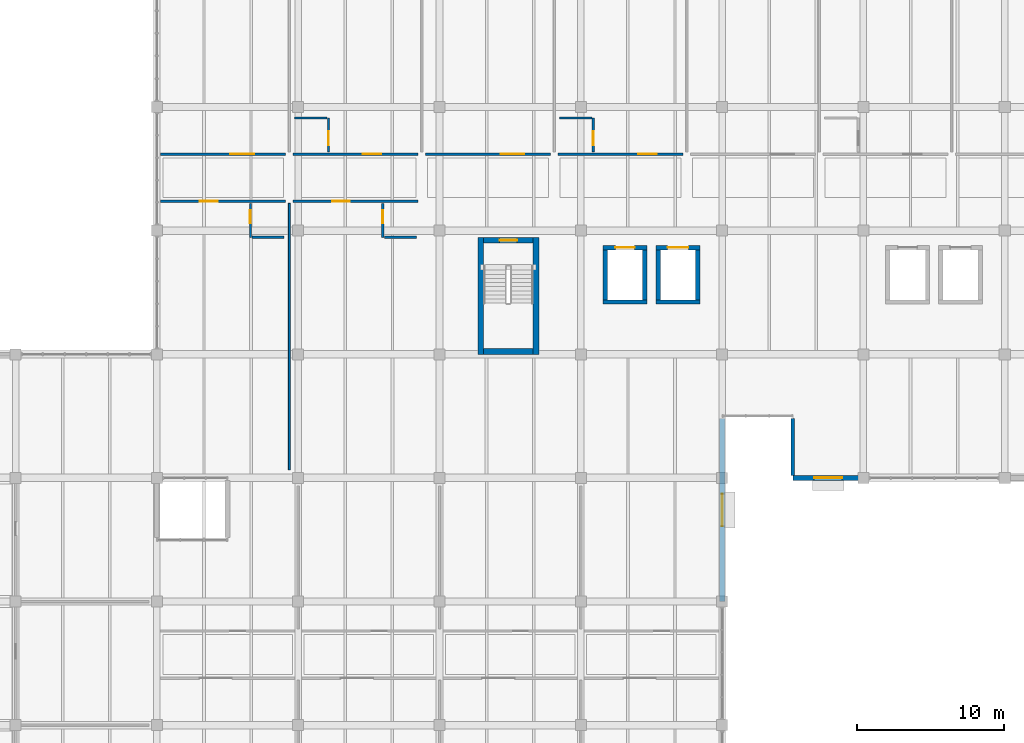
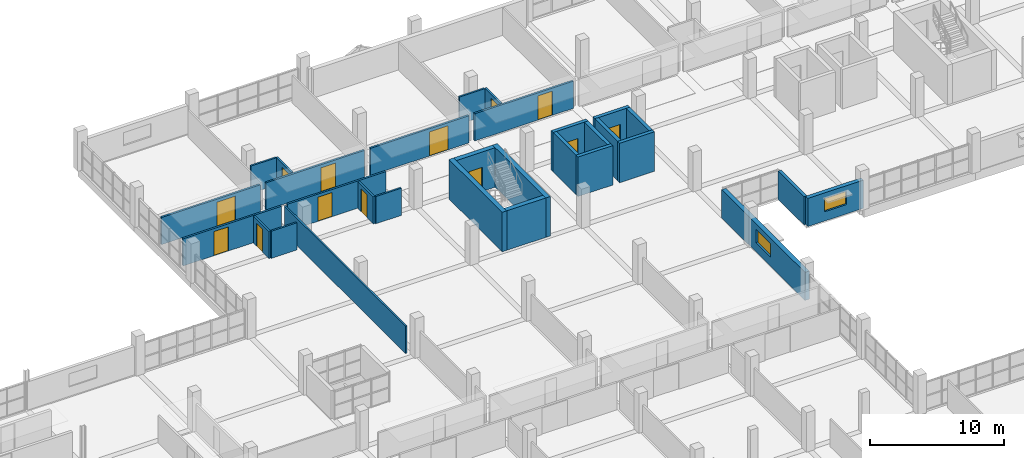
# One storey, part 130 of 147: 30 walls, 13 doors, 2 windows, 15 openings.
"""IFC4 building model written with IfcOpenShell, lengths in metres."""

from ifc_helpers import new_model, si_unit, direction, frame, frame_2d, origin, place, context, subcontext, project, spatial, rectangle, extrude, material, layer, layer_set, type_object, element, fill, save


model = new_model("IFC4")

# Units and contexts
model_context = context("Model", 3, precision=1e-05, world=origin(), true_north=direction((0.0, 1.0)))
body_context = subcontext(model_context, "Body", "Model", "MODEL_VIEW")
ifc_project = project(units=[si_unit("LENGTHUNIT", "METRE"), si_unit("AREAUNIT", "SQUARE_METRE"), si_unit("VOLUMEUNIT", "CUBIC_METRE"), si_unit("PLANEANGLEUNIT", "RADIAN"), si_unit("MASSUNIT", "GRAM", prefix="KILO")], contexts=[model_context])

# Site, building, storey
site_placement = place(None, origin())
site = spatial("IfcSite", under=ifc_project, at=site_placement, CompositionType="ELEMENT")
building_placement = place(site_placement, origin())
building = spatial("IfcBuilding", under=site, at=building_placement, Name="Oolite Switchyard Hospital", CompositionType="ELEMENT")
storey_placement = place(building_placement, frame((0.0, 0.0, 9.89990234375)))
storey = spatial("IfcBuildingStorey", under=building, at=storey_placement, Name="L02", CompositionType="ELEMENT", Elevation=9.89990234375)

# Wall
ifc_material_1 = material(Name="Precast oolitic limestone architectural concrete C40/50", Category="masonry")
ifc_layer_1 = layer(ifc_material_1, 0.260009765625)
ifc_layer_set_1 = layer_set([ifc_layer_1], Name="WAL-EXT-260")
wall_type_1 = type_object("IfcWallType", Name="WAL-EXT-260", PredefinedType="SOLIDWALL", material=ifc_layer_set_1)
wall_1_placement = place(storey_placement, frame((177.60009765625, 100.9599609375, 0.0), z_axis=(0.0, 0.0, 1.0), x_axis=(0.0, 1.0, 0.0)))
element("IfcWall", 1, at=wall_1_placement, inside=storey, type_object=wall_type_1, Name="L02 Exterior Spandrel Wall 166", PredefinedType="SOLIDWALL", context=body_context, shape_type="SweptSolid", body=[
    extrude(rectangle(XDim=3.880126953125, YDim=0.260009765625, at=frame_2d((1.93994140625, 0.0))), origin(), (0.0, 0.0, 1.0), 2.570068359375),
])

# Wall, opening, window
ifc_layer_2 = layer(ifc_material_1, 0.340087890625)
ifc_layer_set_2 = layer_set([ifc_layer_2], Name="WAL-EXT-340")
wall_type_2 = type_object("IfcWallType", Name="WAL-EXT-340", PredefinedType="SOLIDWALL", material=ifc_layer_set_2)
wall_2_placement = place(storey_placement, frame((182.39990234375, 100.800048828125, 0.0), z_axis=(0.0, 0.0, 1.0), x_axis=(-1.0, 0.0, 0.0)))
wall_2 = element("IfcWall", 2, at=wall_2_placement, inside=storey, type_object=wall_type_2, Name="L02 Exterior Spandrel Wall 135", PredefinedType="SOLIDWALL", context=body_context, shape_type="SweptSolid", body=[
    extrude(rectangle(XDim=4.7998046875, YDim=0.340087890625, at=frame_2d((2.39990234375, 0.0))), origin(), (0.0, 0.0, 1.0), 2.570068359375),
])
opening_1_placement = place(wall_2_placement, frame((1.449951171875, 0.0, 0.85009765625)))
opening_1 = element("IfcOpeningElement", 3, at=opening_1_placement, cuts=wall_2, Name="Opening WN-0052", PredefinedType="OPENING", context=body_context, shape_type="SweptSolid", body=[
    extrude(rectangle(XDim=1.89990234375, YDim=1.199951171875, at=frame_2d((0.949951171875, 0.60009765625))), frame((0.0, 0.18017578125, 0.0), z_axis=(0.0, -1.0, 0.0), x_axis=(1.0, 0.0, 0.0)), (0.0, 0.0, 1.0), 0.360107421875),
])
ifc_material_2 = material(Name="Thermally broken aluminum frame with laminated impact glazing", Category="aluminium")
window_type_1 = type_object("IfcWindowType", Name="WIN-IMP-190X120", PartitioningType="SINGLE_PANEL", PredefinedType="WINDOW", material=ifc_material_2)
window_1_placement = place(opening_1_placement, origin())
window_1 = element("IfcWindow", 4, at=window_1_placement, inside=storey, type_object=window_type_1, Name="L02 Hurricane Impact Window WN-0052", OverallHeight=1.199951171875, OverallWidth=1.89990234375, PartitioningType="SINGLE_PANEL", PredefinedType="WINDOW", context=body_context, shape_type="SweptSolid", body=[
    extrude(rectangle(XDim=1.89990234375, YDim=1.199951171875, at=frame_2d((0.949951171875, 0.60009765625))), frame((0.0, 0.030029296875, 0.0), z_axis=(0.0, -1.0, 0.0), x_axis=(1.0, 0.0, 0.0)), (0.0, 0.0, 1.0), 0.06005859375),
])
fill(opening_1, window_1)

ifc_layer_3 = layer(ifc_material_1, 0.3798828125)
ifc_layer_set_3 = layer_set([ifc_layer_3], Name="WAL-EXT-380")
wall_type_3 = type_object("IfcWallType", Name="WAL-EXT-380", PredefinedType="SOLIDWALL", material=ifc_layer_set_3)
wall_3_placement = place(storey_placement, frame((172.800048828125, 104.840087890625, 0.0), z_axis=(0.0, 0.0, 1.0), x_axis=(0.0, -1.0, 0.0)))
wall_3 = element("IfcWall", 5, at=wall_3_placement, inside=storey, type_object=wall_type_3, Name="L02 Exterior Spandrel Wall 165", PredefinedType="SOLIDWALL", context=body_context, shape_type="SweptSolid", body=[
    extrude(rectangle(XDim=12.440185546875, YDim=0.3798828125, at=frame_2d((6.22021484375, 0.0))), origin(), (0.0, 0.0, 1.0), 2.570068359375),
])
opening_2_placement = place(wall_3_placement, frame((5.1201171875, 0.0, 0.85009765625)))
opening_2 = element("IfcOpeningElement", 6, at=opening_2_placement, cuts=wall_3, Name="Opening WN-0062", PredefinedType="OPENING", context=body_context, shape_type="SweptSolid", body=[
    extrude(rectangle(XDim=2.199951171875, YDim=1.199951171875, at=frame_2d((1.10009765625, 0.60009765625))), frame((0.0, 0.199951171875, 0.0), z_axis=(0.0, -1.0, 0.0), x_axis=(1.0, 0.0, 0.0)), (0.0, 0.0, 1.0), 0.39990234375),
])
window_type_2 = type_object("IfcWindowType", Name="WIN-IMP-220X120", PartitioningType="SINGLE_PANEL", PredefinedType="WINDOW", material=ifc_material_2)
window_2_placement = place(opening_2_placement, origin())
window_2 = element("IfcWindow", 7, at=window_2_placement, inside=storey, type_object=window_type_2, Name="L02 Hurricane Impact Window WN-0062", OverallHeight=1.199951171875, OverallWidth=2.199951171875, PartitioningType="SINGLE_PANEL", PredefinedType="WINDOW", context=body_context, shape_type="SweptSolid", body=[
    extrude(rectangle(XDim=2.199951171875, YDim=1.199951171875, at=frame_2d((1.10009765625, 0.60009765625))), frame((0.0, 0.030029296875, 0.0), z_axis=(0.0, -1.0, 0.0), x_axis=(1.0, 0.0, 0.0)), (0.0, 0.0, 1.0), 0.06005859375),
])
fill(opening_2, window_2)

# Wall
ifc_material_3 = material(Name="Moisture-resistant gypsum board on steel studs", Category="steel")
ifc_layer_4 = layer(ifc_material_3, 0.135009765625)
ifc_layer_set_4 = layer_set([ifc_layer_4], Name="WAL-PART-135")
wall_type_4 = type_object("IfcWallType", Name="WAL-PART-135", PredefinedType="PARTITIONING", material=ifc_layer_set_4)
wall_4_placement = place(storey_placement, frame((143.39990234375, 101.35009765625, 0.0), z_axis=(0.0, 0.0, 1.0), x_axis=(0.0, 1.0, 0.0)))
element("IfcWall", 8, at=wall_4_placement, inside=storey, type_object=wall_type_4, Name="L02 Interior Partition 527", PredefinedType="PARTITIONING", context=body_context, shape_type="SweptSolid", body=[
    extrude(rectangle(XDim=18.099853515625, YDim=0.135009765625, at=frame_2d((9.0498046875, 0.0))), origin(), (0.0, 0.0, 1.0), 2.47998046875),
])

# Wall, opening, door
ifc_layer_5 = layer(ifc_material_3, 0.14990234375)
ifc_layer_set_5 = layer_set([ifc_layer_5], Name="WAL-PART-150")
wall_type_5 = type_object("IfcWallType", Name="WAL-PART-150", PredefinedType="PARTITIONING", material=ifc_layer_set_5)
wall_5_placement = place(storey_placement, frame((140.75, 117.14990234375, 0.0), z_axis=(0.0, 0.0, 1.0), x_axis=(0.0, 1.0, 0.0)))
wall_5 = element("IfcWall", 9, at=wall_5_placement, inside=storey, type_object=wall_type_5, Name="L02 Interior Partition 521", PredefinedType="PARTITIONING", context=body_context, shape_type="SweptSolid", body=[
    extrude(rectangle(XDim=2.300048828125, YDim=0.14990234375, at=frame_2d((1.14990234375, 0.0))), origin(), (0.0, 0.0, 1.0), 2.47998046875),
])
opening_3_placement = place(wall_5_placement, frame((0.949951171875, 0.0, 0.0)))
opening_3 = element("IfcOpeningElement", 10, at=opening_3_placement, cuts=wall_5, Name="Opening D-0294", PredefinedType="OPENING", context=body_context, shape_type="SweptSolid", body=[
    extrude(rectangle(XDim=0.89990234375, YDim=2.10009765625, at=frame_2d((0.449951171875, 1.050048828125))), frame((0.0, 0.0849609375, 0.0), z_axis=(0.0, -1.0, 0.0), x_axis=(1.0, 0.0, 0.0)), (0.0, 0.0, 1.0), 0.169921875),
])
ifc_material_4 = material(Name="Solid-core antimicrobial hardwood leaf in steel frame", Category="steel")
door_type_1 = type_object("IfcDoorType", Name="DR-BATH-090X210", OperationType="NOTDEFINED", PredefinedType="DOOR", material=ifc_material_4)
door_1_placement = place(opening_3_placement, origin())
door_1 = element("IfcDoor", 11, at=door_1_placement, inside=storey, type_object=door_type_1, Name="L02 Interior Door D-0294", OperationType="SINGLE_SWING_RIGHT", OverallHeight=2.10009765625, OverallWidth=0.89990234375, PredefinedType="DOOR", context=body_context, shape_type="SweptSolid", body=[
    extrude(rectangle(XDim=0.89990234375, YDim=2.10009765625, at=frame_2d((0.449951171875, 1.050048828125))), frame((0.0, 0.02490234375, 0.0), z_axis=(0.0, -1.0, 0.0), x_axis=(1.0, 0.0, 0.0)), (0.0, 0.0, 1.0), 0.050048828125),
])
fill(opening_3, door_1)

# Wall
wall_6_placement = place(storey_placement, frame((140.85009765625, 117.14990234375, 0.0), z_axis=(0.0, 0.0, 1.0), x_axis=(1.0, 0.0, 0.0)))
element("IfcWall", 12, at=wall_6_placement, inside=storey, type_object=wall_type_5, Name="L02 Interior Partition 522", PredefinedType="PARTITIONING", context=body_context, shape_type="SweptSolid", body=[
    extrude(rectangle(XDim=2.199951171875, YDim=0.14990234375, at=frame_2d((1.10009765625, 0.0))), origin(), (0.0, 0.0, 1.0), 2.47998046875),
])

# Wall, opening, door
wall_7_placement = place(storey_placement, frame((149.75, 117.14990234375, 0.0), z_axis=(0.0, 0.0, 1.0), x_axis=(0.0, 1.0, 0.0)))
wall_7 = element("IfcWall", 13, at=wall_7_placement, inside=storey, type_object=wall_type_5, Name="L02 Interior Partition 525", PredefinedType="PARTITIONING", context=body_context, shape_type="SweptSolid", body=[
    extrude(rectangle(XDim=2.300048828125, YDim=0.14990234375, at=frame_2d((1.14990234375, 0.0))), origin(), (0.0, 0.0, 1.0), 2.47998046875),
])
opening_4_placement = place(wall_7_placement, frame((0.949951171875, 0.0, 0.0)))
opening_4 = element("IfcOpeningElement", 14, at=opening_4_placement, cuts=wall_7, Name="Opening D-0297", PredefinedType="OPENING", context=body_context, shape_type="SweptSolid", body=[
    extrude(rectangle(XDim=0.89990234375, YDim=2.10009765625, at=frame_2d((0.449951171875, 1.050048828125))), frame((0.0, 0.0849609375, 0.0), z_axis=(0.0, -1.0, 0.0), x_axis=(1.0, 0.0, 0.0)), (0.0, 0.0, 1.0), 0.169921875),
])
door_2_placement = place(opening_4_placement, origin())
door_2 = element("IfcDoor", 15, at=door_2_placement, inside=storey, type_object=door_type_1, Name="L02 Interior Door D-0297", OperationType="SINGLE_SWING_LEFT", OverallHeight=2.10009765625, OverallWidth=0.89990234375, PredefinedType="DOOR", context=body_context, shape_type="SweptSolid", body=[
    extrude(rectangle(XDim=0.89990234375, YDim=2.10009765625, at=frame_2d((0.449951171875, 1.050048828125))), frame((0.0, 0.02490234375, 0.0), z_axis=(0.0, -1.0, 0.0), x_axis=(1.0, 0.0, 0.0)), (0.0, 0.0, 1.0), 0.050048828125),
])
fill(opening_4, door_2)

# Wall
wall_8_placement = place(storey_placement, frame((149.85009765625, 117.14990234375, 0.0), z_axis=(0.0, 0.0, 1.0), x_axis=(1.0, 0.0, 0.0)))
element("IfcWall", 16, at=wall_8_placement, inside=storey, type_object=wall_type_5, Name="L02 Interior Partition 526", PredefinedType="PARTITIONING", context=body_context, shape_type="SweptSolid", body=[
    extrude(rectangle(XDim=2.199951171875, YDim=0.14990234375, at=frame_2d((1.10009765625, 0.0))), origin(), (0.0, 0.0, 1.0), 2.47998046875),
])

# Wall, opening, door
wall_9_placement = place(storey_placement, frame((146.050048828125, 122.949951171875, 0.0), z_axis=(0.0, 0.0, 1.0), x_axis=(0.0, 1.0, 0.0)))
wall_9 = element("IfcWall", 17, at=wall_9_placement, inside=storey, type_object=wall_type_5, Name="L02 Interior Partition 529", PredefinedType="PARTITIONING", context=body_context, shape_type="SweptSolid", body=[
    extrude(rectangle(XDim=2.300048828125, YDim=0.14990234375, at=frame_2d((1.14990234375, 0.0))), origin(), (0.0, 0.0, 1.0), 2.47998046875),
])
opening_5_placement = place(wall_9_placement, frame((0.449951171875, 0.0, 0.0)))
opening_5 = element("IfcOpeningElement", 18, at=opening_5_placement, cuts=wall_9, Name="Opening D-0299", PredefinedType="OPENING", context=body_context, shape_type="SweptSolid", body=[
    extrude(rectangle(XDim=0.949951171875, YDim=2.10009765625, at=frame_2d((0.47509765625, 1.050048828125))), frame((0.0, 0.0849609375, 0.0), z_axis=(0.0, -1.0, 0.0), x_axis=(1.0, 0.0, 0.0)), (0.0, 0.0, 1.0), 0.169921875),
])
door_type_2 = type_object("IfcDoorType", Name="DR-BATH-095X210", OperationType="NOTDEFINED", PredefinedType="DOOR", material=ifc_material_4)
door_3_placement = place(opening_5_placement, origin())
door_3 = element("IfcDoor", 19, at=door_3_placement, inside=storey, type_object=door_type_2, Name="L02 Interior Door D-0299", OperationType="SINGLE_SWING_RIGHT", OverallHeight=2.10009765625, OverallWidth=0.949951171875, PredefinedType="DOOR", context=body_context, shape_type="SweptSolid", body=[
    extrude(rectangle(XDim=0.949951171875, YDim=2.10009765625, at=frame_2d((0.47509765625, 1.050048828125))), frame((0.0, 0.02490234375, 0.0), z_axis=(0.0, -1.0, 0.0), x_axis=(1.0, 0.0, 0.0)), (0.0, 0.0, 1.0), 0.050048828125),
])
fill(opening_5, door_3)

# Wall
wall_10_placement = place(storey_placement, frame((143.75, 125.25, 0.0), z_axis=(0.0, 0.0, 1.0), x_axis=(1.0, 0.0, 0.0)))
element("IfcWall", 20, at=wall_10_placement, inside=storey, type_object=wall_type_5, Name="L02 Interior Partition 530", PredefinedType="PARTITIONING", context=body_context, shape_type="SweptSolid", body=[
    extrude(rectangle(XDim=2.199951171875, YDim=0.14990234375, at=frame_2d((1.10009765625, 0.0))), origin(), (0.0, 0.0, 1.0), 2.47998046875),
])

# Wall, opening, door
wall_11_placement = place(storey_placement, frame((164.050048828125, 122.949951171875, 0.0), z_axis=(0.0, 0.0, 1.0), x_axis=(0.0, 1.0, 0.0)))
wall_11 = element("IfcWall", 21, at=wall_11_placement, inside=storey, type_object=wall_type_5, Name="L02 Interior Partition 535", PredefinedType="PARTITIONING", context=body_context, shape_type="SweptSolid", body=[
    extrude(rectangle(XDim=2.300048828125, YDim=0.14990234375, at=frame_2d((1.14990234375, 0.0))), origin(), (0.0, 0.0, 1.0), 2.47998046875),
])
opening_6_placement = place(wall_11_placement, frame((0.449951171875, 0.0, 0.0)))
opening_6 = element("IfcOpeningElement", 22, at=opening_6_placement, cuts=wall_11, Name="Opening D-0302", PredefinedType="OPENING", context=body_context, shape_type="SweptSolid", body=[
    extrude(rectangle(XDim=0.949951171875, YDim=2.10009765625, at=frame_2d((0.47509765625, 1.050048828125))), frame((0.0, 0.0849609375, 0.0), z_axis=(0.0, -1.0, 0.0), x_axis=(1.0, 0.0, 0.0)), (0.0, 0.0, 1.0), 0.169921875),
])
door_4_placement = place(opening_6_placement, origin())
door_4 = element("IfcDoor", 23, at=door_4_placement, inside=storey, type_object=door_type_2, Name="L02 Interior Door D-0302", OperationType="SINGLE_SWING_RIGHT", OverallHeight=2.10009765625, OverallWidth=0.949951171875, PredefinedType="DOOR", context=body_context, shape_type="SweptSolid", body=[
    extrude(rectangle(XDim=0.949951171875, YDim=2.10009765625, at=frame_2d((0.47509765625, 1.050048828125))), frame((0.0, 0.02490234375, 0.0), z_axis=(0.0, -1.0, 0.0), x_axis=(1.0, 0.0, 0.0)), (0.0, 0.0, 1.0), 0.050048828125),
])
fill(opening_6, door_4)

# Wall
wall_12_placement = place(storey_placement, frame((161.75, 125.25, 0.0), z_axis=(0.0, 0.0, 1.0), x_axis=(1.0, 0.0, 0.0)))
element("IfcWall", 24, at=wall_12_placement, inside=storey, type_object=wall_type_5, Name="L02 Interior Partition 536", PredefinedType="PARTITIONING", context=body_context, shape_type="SweptSolid", body=[
    extrude(rectangle(XDim=2.199951171875, YDim=0.14990234375, at=frame_2d((1.10009765625, 0.0))), origin(), (0.0, 0.0, 1.0), 2.47998046875),
])

# Wall, opening, door
ifc_layer_6 = layer(ifc_material_3, 0.1650390625)
ifc_layer_set_6 = layer_set([ifc_layer_6], Name="WAL-PART-165")
wall_type_6 = type_object("IfcWallType", Name="WAL-PART-165", PredefinedType="PARTITIONING", material=ifc_layer_set_6)
wall_13_placement = place(storey_placement, frame((134.64990234375, 119.60009765625, 0.0), z_axis=(0.0, 0.0, 1.0), x_axis=(1.0, 0.0, 0.0)))
wall_13 = element("IfcWall", 25, at=wall_13_placement, inside=storey, type_object=wall_type_6, Name="L02 Interior Partition 520", PredefinedType="PARTITIONING", context=body_context, shape_type="SweptSolid", body=[
    extrude(rectangle(XDim=8.5, YDim=0.1650390625, at=frame_2d((4.25, 0.0))), origin(), (0.0, 0.0, 1.0), 2.47998046875),
])
opening_7_placement = place(wall_13_placement, frame((2.64990234375, 0.0, 0.0)))
opening_7 = element("IfcOpeningElement", 26, at=opening_7_placement, cuts=wall_13, Name="Opening D-0293", PredefinedType="OPENING", context=body_context, shape_type="SweptSolid", body=[
    extrude(rectangle(XDim=1.25, YDim=2.199951171875, at=frame_2d((0.625, 1.10009765625))), frame((0.0, 0.092529296875, 0.0), z_axis=(0.0, -1.0, 0.0), x_axis=(1.0, 0.0, 0.0)), (0.0, 0.0, 1.0), 0.18505859375),
])
door_type_3 = type_object("IfcDoorType", Name="DR-WARD-125X220", OperationType="NOTDEFINED", PredefinedType="DOOR", material=ifc_material_4)
door_5_placement = place(opening_7_placement, origin())
door_5 = element("IfcDoor", 27, at=door_5_placement, inside=storey, type_object=door_type_3, Name="L02 Interior Door D-0293", OperationType="SINGLE_SWING_LEFT", OverallHeight=2.199951171875, OverallWidth=1.25, PredefinedType="DOOR", context=body_context, shape_type="SweptSolid", body=[
    extrude(rectangle(XDim=1.25, YDim=2.199951171875, at=frame_2d((0.625, 1.10009765625))), frame((0.0, 0.02490234375, 0.0), z_axis=(0.0, -1.0, 0.0), x_axis=(1.0, 0.0, 0.0)), (0.0, 0.0, 1.0), 0.050048828125),
])
fill(opening_7, door_5)

wall_14_placement = place(storey_placement, frame((134.64990234375, 122.800048828125, 0.0), z_axis=(0.0, 0.0, 1.0), x_axis=(1.0, 0.0, 0.0)))
wall_14 = element("IfcWall", 28, at=wall_14_placement, inside=storey, type_object=wall_type_6, Name="L02 Interior Partition 523", PredefinedType="PARTITIONING", context=body_context, shape_type="SweptSolid", body=[
    extrude(rectangle(XDim=8.5, YDim=0.1650390625, at=frame_2d((4.25, 0.0))), origin(), (0.0, 0.0, 1.0), 2.47998046875),
])
opening_8_placement = place(wall_14_placement, frame((4.75, 0.0, 0.0)))
opening_8 = element("IfcOpeningElement", 29, at=opening_8_placement, cuts=wall_14, Name="Opening D-0295", PredefinedType="OPENING", context=body_context, shape_type="SweptSolid", body=[
    extrude(rectangle(XDim=1.60009765625, YDim=2.199951171875, at=frame_2d((0.800048828125, 1.10009765625))), frame((0.0, 0.092529296875, 0.0), z_axis=(0.0, -1.0, 0.0), x_axis=(1.0, 0.0, 0.0)), (0.0, 0.0, 1.0), 0.18505859375),
])
ifc_material_5 = material(Name="Hollow metal fire-rated steel door assembly", Category="steel")
door_type_4 = type_object("IfcDoorType", Name="DR-DBL-160X220", OperationType="NOTDEFINED", PredefinedType="DOOR", material=ifc_material_5)
door_6_placement = place(opening_8_placement, origin())
door_6 = element("IfcDoor", 30, at=door_6_placement, inside=storey, type_object=door_type_4, Name="L02 Interior Door D-0295", OperationType="DOUBLE_DOOR_SINGLE_SWING", OverallHeight=2.199951171875, OverallWidth=1.60009765625, PredefinedType="DOOR", context=body_context, shape_type="SweptSolid", body=[
    extrude(rectangle(XDim=1.60009765625, YDim=2.199951171875, at=frame_2d((0.800048828125, 1.10009765625))), frame((0.0, 0.02490234375, 0.0), z_axis=(0.0, -1.0, 0.0), x_axis=(1.0, 0.0, 0.0)), (0.0, 0.0, 1.0), 0.050048828125),
])
fill(opening_8, door_6)

wall_15_placement = place(storey_placement, frame((143.64990234375, 119.60009765625, 0.0), z_axis=(0.0, 0.0, 1.0), x_axis=(1.0, 0.0, 0.0)))
wall_15 = element("IfcWall", 31, at=wall_15_placement, inside=storey, type_object=wall_type_6, Name="L02 Interior Partition 524", PredefinedType="PARTITIONING", context=body_context, shape_type="SweptSolid", body=[
    extrude(rectangle(XDim=8.5, YDim=0.1650390625, at=frame_2d((4.25, 0.0))), origin(), (0.0, 0.0, 1.0), 2.47998046875),
])
opening_9_placement = place(wall_15_placement, frame((2.64990234375, 0.0, 0.0)))
opening_9 = element("IfcOpeningElement", 32, at=opening_9_placement, cuts=wall_15, Name="Opening D-0296", PredefinedType="OPENING", context=body_context, shape_type="SweptSolid", body=[
    extrude(rectangle(XDim=1.199951171875, YDim=2.199951171875, at=frame_2d((0.60009765625, 1.10009765625))), frame((0.0, 0.092529296875, 0.0), z_axis=(0.0, -1.0, 0.0), x_axis=(1.0, 0.0, 0.0)), (0.0, 0.0, 1.0), 0.18505859375),
])
door_type_5 = type_object("IfcDoorType", Name="DR-WARD-120X220", OperationType="NOTDEFINED", PredefinedType="DOOR", material=ifc_material_4)
door_7_placement = place(opening_9_placement, origin())
door_7 = element("IfcDoor", 33, at=door_7_placement, inside=storey, type_object=door_type_5, Name="L02 Interior Door D-0296", OperationType="SINGLE_SWING_RIGHT", OverallHeight=2.199951171875, OverallWidth=1.199951171875, PredefinedType="DOOR", context=body_context, shape_type="SweptSolid", body=[
    extrude(rectangle(XDim=1.199951171875, YDim=2.199951171875, at=frame_2d((0.60009765625, 1.10009765625))), frame((0.0, 0.02490234375, 0.0), z_axis=(0.0, -1.0, 0.0), x_axis=(1.0, 0.0, 0.0)), (0.0, 0.0, 1.0), 0.050048828125),
])
fill(opening_9, door_7)

wall_16_placement = place(storey_placement, frame((143.64990234375, 122.800048828125, 0.0), z_axis=(0.0, 0.0, 1.0), x_axis=(1.0, 0.0, 0.0)))
wall_16 = element("IfcWall", 34, at=wall_16_placement, inside=storey, type_object=wall_type_6, Name="L02 Interior Partition 528", PredefinedType="PARTITIONING", context=body_context, shape_type="SweptSolid", body=[
    extrude(rectangle(XDim=8.5, YDim=0.1650390625, at=frame_2d((4.25, 0.0))), origin(), (0.0, 0.0, 1.0), 2.47998046875),
])
opening_10_placement = place(wall_16_placement, frame((4.75, 0.0, 0.0)))
opening_10 = element("IfcOpeningElement", 35, at=opening_10_placement, cuts=wall_16, Name="Opening D-0298", PredefinedType="OPENING", context=body_context, shape_type="SweptSolid", body=[
    extrude(rectangle(XDim=1.25, YDim=2.199951171875, at=frame_2d((0.625, 1.10009765625))), frame((0.0, 0.092529296875, 0.0), z_axis=(0.0, -1.0, 0.0), x_axis=(1.0, 0.0, 0.0)), (0.0, 0.0, 1.0), 0.18505859375),
])
door_8_placement = place(opening_10_placement, origin())
door_8 = element("IfcDoor", 36, at=door_8_placement, inside=storey, type_object=door_type_3, Name="L02 Interior Door D-0298", OperationType="SINGLE_SWING_LEFT", OverallHeight=2.199951171875, OverallWidth=1.25, PredefinedType="DOOR", context=body_context, shape_type="SweptSolid", body=[
    extrude(rectangle(XDim=1.25, YDim=2.199951171875, at=frame_2d((0.625, 1.10009765625))), frame((0.0, 0.02490234375, 0.0), z_axis=(0.0, -1.0, 0.0), x_axis=(1.0, 0.0, 0.0)), (0.0, 0.0, 1.0), 0.050048828125),
])
fill(opening_10, door_8)

wall_17_placement = place(storey_placement, frame((152.64990234375, 122.800048828125, 0.0), z_axis=(0.0, 0.0, 1.0), x_axis=(1.0, 0.0, 0.0)))
wall_17 = element("IfcWall", 37, at=wall_17_placement, inside=storey, type_object=wall_type_6, Name="L02 Interior Partition 532", PredefinedType="PARTITIONING", context=body_context, shape_type="SweptSolid", body=[
    extrude(rectangle(XDim=8.5, YDim=0.1650390625, at=frame_2d((4.25, 0.0))), origin(), (0.0, 0.0, 1.0), 2.47998046875),
])
opening_11_placement = place(wall_17_placement, frame((5.10009765625, 0.0, 0.0)))
opening_11 = element("IfcOpeningElement", 38, at=opening_11_placement, cuts=wall_17, Name="Opening D-0300", PredefinedType="OPENING", context=body_context, shape_type="SweptSolid", body=[
    extrude(rectangle(XDim=1.60009765625, YDim=2.199951171875, at=frame_2d((0.800048828125, 1.10009765625))), frame((0.0, 0.092529296875, 0.0), z_axis=(0.0, -1.0, 0.0), x_axis=(1.0, 0.0, 0.0)), (0.0, 0.0, 1.0), 0.18505859375),
])
door_9_placement = place(opening_11_placement, origin())
door_9 = element("IfcDoor", 39, at=door_9_placement, inside=storey, type_object=door_type_4, Name="L02 Interior Door D-0300", OperationType="DOUBLE_DOOR_SINGLE_SWING", OverallHeight=2.199951171875, OverallWidth=1.60009765625, PredefinedType="DOOR", context=body_context, shape_type="SweptSolid", body=[
    extrude(rectangle(XDim=1.60009765625, YDim=2.199951171875, at=frame_2d((0.800048828125, 1.10009765625))), frame((0.0, 0.02490234375, 0.0), z_axis=(0.0, -1.0, 0.0), x_axis=(1.0, 0.0, 0.0)), (0.0, 0.0, 1.0), 0.050048828125),
])
fill(opening_11, door_9)

wall_18_placement = place(storey_placement, frame((161.64990234375, 122.800048828125, 0.0), z_axis=(0.0, 0.0, 1.0), x_axis=(1.0, 0.0, 0.0)))
wall_18 = element("IfcWall", 40, at=wall_18_placement, inside=storey, type_object=wall_type_6, Name="L02 Interior Partition 534", PredefinedType="PARTITIONING", context=body_context, shape_type="SweptSolid", body=[
    extrude(rectangle(XDim=8.5, YDim=0.1650390625, at=frame_2d((4.25, 0.0))), origin(), (0.0, 0.0, 1.0), 2.47998046875),
])
opening_12_placement = place(wall_18_placement, frame((5.449951171875, 0.0, 0.0)))
opening_12 = element("IfcOpeningElement", 41, at=opening_12_placement, cuts=wall_18, Name="Opening D-0301", PredefinedType="OPENING", context=body_context, shape_type="SweptSolid", body=[
    extrude(rectangle(XDim=1.25, YDim=2.199951171875, at=frame_2d((0.625, 1.10009765625))), frame((0.0, 0.092529296875, 0.0), z_axis=(0.0, -1.0, 0.0), x_axis=(1.0, 0.0, 0.0)), (0.0, 0.0, 1.0), 0.18505859375),
])
door_10_placement = place(opening_12_placement, origin())
door_10 = element("IfcDoor", 42, at=door_10_placement, inside=storey, type_object=door_type_3, Name="L02 Interior Door D-0301", OperationType="SINGLE_SWING_LEFT", OverallHeight=2.199951171875, OverallWidth=1.25, PredefinedType="DOOR", context=body_context, shape_type="SweptSolid", body=[
    extrude(rectangle(XDim=1.25, YDim=2.199951171875, at=frame_2d((0.625, 1.10009765625))), frame((0.0, 0.02490234375, 0.0), z_axis=(0.0, -1.0, 0.0), x_axis=(1.0, 0.0, 0.0)), (0.0, 0.0, 1.0), 0.050048828125),
])
fill(opening_12, door_10)

# Walls
ifc_material_6 = material(Name="Concrete C50/60", Category="concrete")
ifc_layer_7 = layer(ifc_material_6, 0.300048828125)
ifc_layer_set_7 = layer_set([ifc_layer_7], Name="WAL-SHR-300")
wall_type_7 = type_object("IfcWallType", Name="WAL-SHR-300", PredefinedType="SHEAR", material=ifc_layer_set_7)
wall_19_placement = place(storey_placement, frame((164.699951171875, 112.75, 0.0), z_axis=(0.0, 0.0, 1.0), x_axis=(1.0, 0.0, 0.0)))
element("IfcWall", 43, at=wall_19_placement, inside=storey, type_object=wall_type_7, Name="L02 Lift Shaft Shear Wall EL-01", PredefinedType="SHEAR", context=body_context, shape_type="SweptSolid", body=[
    extrude(rectangle(XDim=3.0, YDim=0.300048828125, at=frame_2d((1.5, 0.0))), origin(), (0.0, 0.0, 1.0), 3.60009765625),
])
wall_20_placement = place(storey_placement, frame((167.550048828125, 112.89990234375, 0.0), z_axis=(0.0, 0.0, 1.0), x_axis=(0.0, 1.0, 0.0)))
element("IfcWall", 44, at=wall_20_placement, inside=storey, type_object=wall_type_7, Name="L02 Lift Shaft Shear Wall EL-01", PredefinedType="SHEAR", context=body_context, shape_type="SweptSolid", body=[
    extrude(rectangle(XDim=3.400146484375, YDim=0.300048828125, at=frame_2d((1.7001953125, 0.0))), origin(), (0.0, 0.0, 1.0), 3.60009765625),
])

# Wall, opening, door
wall_21_placement = place(storey_placement, frame((167.699951171875, 116.449951171875, 0.0), z_axis=(0.0, 0.0, 1.0), x_axis=(-1.0, 0.0, 0.0)))
wall_21 = element("IfcWall", 45, at=wall_21_placement, inside=storey, type_object=wall_type_7, Name="L02 Lift Shaft Shear Wall EL-01", PredefinedType="SHEAR", context=body_context, shape_type="SweptSolid", body=[
    extrude(rectangle(XDim=3.0, YDim=0.300048828125, at=frame_2d((1.5, 0.0))), origin(), (0.0, 0.0, 1.0), 3.60009765625),
])
opening_13_placement = place(wall_21_placement, frame((0.85009765625, 0.0, 0.0)))
opening_13 = element("IfcOpeningElement", 46, at=opening_13_placement, cuts=wall_21, Name="Opening LD-003", PredefinedType="OPENING", context=body_context, shape_type="SweptSolid", body=[
    extrude(rectangle(XDim=1.300048828125, YDim=2.300048828125, at=frame_2d((0.64990234375, 1.14990234375))), frame((0.0, 0.16015625, 0.0), z_axis=(0.0, -1.0, 0.0), x_axis=(1.0, 0.0, 0.0)), (0.0, 0.0, 1.0), 0.320068359375),
])
ifc_material_7 = material(Name="Brushed stainless steel fire-rated sliding landing door", Category="steel")
door_type_6 = type_object("IfcDoorType", Name="DR-LD-130X230", OperationType="NOTDEFINED", PredefinedType="DOOR", material=ifc_material_7)
door_11_placement = place(opening_13_placement, origin())
door_11 = element("IfcDoor", 47, at=door_11_placement, inside=storey, type_object=door_type_6, Name="L02 EL-01 Lift Landing Door LD-003", OperationType="SLIDING_TO_LEFT", OverallHeight=2.300048828125, OverallWidth=1.300048828125, PredefinedType="DOOR", context=body_context, shape_type="SweptSolid", body=[
    extrude(rectangle(XDim=1.300048828125, YDim=2.300048828125, at=frame_2d((0.64990234375, 1.14990234375))), frame((0.0, 0.02490234375, 0.0), z_axis=(0.0, -1.0, 0.0), x_axis=(1.0, 0.0, 0.0)), (0.0, 0.0, 1.0), 0.050048828125),
])
fill(opening_13, door_11)

# Walls
wall_22_placement = place(storey_placement, frame((164.85009765625, 116.300048828125, 0.0), z_axis=(0.0, 0.0, 1.0), x_axis=(0.0, -1.0, 0.0)))
element("IfcWall", 48, at=wall_22_placement, inside=storey, type_object=wall_type_7, Name="L02 Lift Shaft Shear Wall EL-01", PredefinedType="SHEAR", context=body_context, shape_type="SweptSolid", body=[
    extrude(rectangle(XDim=3.400146484375, YDim=0.300048828125, at=frame_2d((1.7001953125, 0.0))), origin(), (0.0, 0.0, 1.0), 3.60009765625),
])
wall_23_placement = place(storey_placement, frame((168.300048828125, 112.75, 0.0), z_axis=(0.0, 0.0, 1.0), x_axis=(1.0, 0.0, 0.0)))
element("IfcWall", 49, at=wall_23_placement, inside=storey, type_object=wall_type_7, Name="L02 Lift Shaft Shear Wall EL-02", PredefinedType="SHEAR", context=body_context, shape_type="SweptSolid", body=[
    extrude(rectangle(XDim=3.0, YDim=0.300048828125, at=frame_2d((1.5, 0.0))), origin(), (0.0, 0.0, 1.0), 3.60009765625),
])
wall_24_placement = place(storey_placement, frame((171.14990234375, 112.89990234375, 0.0), z_axis=(0.0, 0.0, 1.0), x_axis=(0.0, 1.0, 0.0)))
element("IfcWall", 50, at=wall_24_placement, inside=storey, type_object=wall_type_7, Name="L02 Lift Shaft Shear Wall EL-02", PredefinedType="SHEAR", context=body_context, shape_type="SweptSolid", body=[
    extrude(rectangle(XDim=3.400146484375, YDim=0.300048828125, at=frame_2d((1.7001953125, 0.0))), origin(), (0.0, 0.0, 1.0), 3.60009765625),
])

# Wall, opening, door
wall_25_placement = place(storey_placement, frame((171.300048828125, 116.449951171875, 0.0), z_axis=(0.0, 0.0, 1.0), x_axis=(-1.0, 0.0, 0.0)))
wall_25 = element("IfcWall", 51, at=wall_25_placement, inside=storey, type_object=wall_type_7, Name="L02 Lift Shaft Shear Wall EL-02", PredefinedType="SHEAR", context=body_context, shape_type="SweptSolid", body=[
    extrude(rectangle(XDim=3.0, YDim=0.300048828125, at=frame_2d((1.5, 0.0))), origin(), (0.0, 0.0, 1.0), 3.60009765625),
])
opening_14_placement = place(wall_25_placement, frame((0.800048828125, 0.0, 0.0)))
opening_14 = element("IfcOpeningElement", 52, at=opening_14_placement, cuts=wall_25, Name="Opening LD-012", PredefinedType="OPENING", context=body_context, shape_type="SweptSolid", body=[
    extrude(rectangle(XDim=1.39990234375, YDim=2.300048828125, at=frame_2d((0.699951171875, 1.14990234375))), frame((0.0, 0.16015625, 0.0), z_axis=(0.0, -1.0, 0.0), x_axis=(1.0, 0.0, 0.0)), (0.0, 0.0, 1.0), 0.320068359375),
])
door_type_7 = type_object("IfcDoorType", Name="DR-LD-140X230", OperationType="NOTDEFINED", PredefinedType="DOOR", material=ifc_material_7)
door_12_placement = place(opening_14_placement, origin())
door_12 = element("IfcDoor", 53, at=door_12_placement, inside=storey, type_object=door_type_7, Name="L02 EL-02 Lift Landing Door LD-012", OperationType="SLIDING_TO_RIGHT", OverallHeight=2.300048828125, OverallWidth=1.39990234375, PredefinedType="DOOR", context=body_context, shape_type="SweptSolid", body=[
    extrude(rectangle(XDim=1.39990234375, YDim=2.300048828125, at=frame_2d((0.699951171875, 1.14990234375))), frame((0.0, 0.02490234375, 0.0), z_axis=(0.0, -1.0, 0.0), x_axis=(1.0, 0.0, 0.0)), (0.0, 0.0, 1.0), 0.050048828125),
])
fill(opening_14, door_12)

# Walls
wall_26_placement = place(storey_placement, frame((168.449951171875, 116.300048828125, 0.0), z_axis=(0.0, 0.0, 1.0), x_axis=(0.0, -1.0, 0.0)))
element("IfcWall", 54, at=wall_26_placement, inside=storey, type_object=wall_type_7, Name="L02 Lift Shaft Shear Wall EL-02", PredefinedType="SHEAR", context=body_context, shape_type="SweptSolid", body=[
    extrude(rectangle(XDim=3.400146484375, YDim=0.300048828125, at=frame_2d((1.7001953125, 0.0))), origin(), (0.0, 0.0, 1.0), 3.60009765625),
])
ifc_layer_8 = layer(ifc_material_6, 0.39990234375)
ifc_layer_set_8 = layer_set([ifc_layer_8], Name="WAL-SHR-400")
wall_type_8 = type_object("IfcWallType", Name="WAL-SHR-400", PredefinedType="SHEAR", material=ifc_layer_set_8)
wall_27_placement = place(storey_placement, frame((156.39990234375, 117.14990234375, 0.0), z_axis=(0.0, 0.0, 1.0), x_axis=(0.0, -1.0, 0.0)))
element("IfcWall", 55, at=wall_27_placement, inside=storey, type_object=wall_type_8, Name="L02 Core Shear Wall ST-03", PredefinedType="SHEAR", context=body_context, shape_type="SweptSolid", body=[
    extrude(rectangle(XDim=7.949951171875, YDim=0.39990234375, at=frame_2d((3.97509765625, 0.0))), origin(), (0.0, 0.0, 1.0), 3.60009765625),
])
wall_28_placement = place(storey_placement, frame((156.60009765625, 109.39990234375, 0.0), z_axis=(0.0, 0.0, 1.0), x_axis=(1.0, 0.0, 0.0)))
element("IfcWall", 56, at=wall_28_placement, inside=storey, type_object=wall_type_8, Name="L02 Core Shear Wall ST-03", PredefinedType="SHEAR", context=body_context, shape_type="SweptSolid", body=[
    extrude(rectangle(XDim=3.35986328125, YDim=0.39990234375, at=frame_2d((1.679931640625, 0.0))), origin(), (0.0, 0.0, 1.0), 3.60009765625),
])
wall_29_placement = place(storey_placement, frame((160.159912109375, 109.199951171875, 0.0), z_axis=(0.0, 0.0, 1.0), x_axis=(0.0, 1.0, 0.0)))
element("IfcWall", 57, at=wall_29_placement, inside=storey, type_object=wall_type_8, Name="L02 Core Shear Wall ST-03", PredefinedType="SHEAR", context=body_context, shape_type="SweptSolid", body=[
    extrude(rectangle(XDim=7.949951171875, YDim=0.39990234375, at=frame_2d((3.97509765625, 0.0))), origin(), (0.0, 0.0, 1.0), 3.60009765625),
])

# Wall, opening, door
wall_30_placement = place(storey_placement, frame((159.9599609375, 116.949951171875, 0.0), z_axis=(0.0, 0.0, 1.0), x_axis=(-1.0, 0.0, 0.0)))
wall_30 = element("IfcWall", 58, at=wall_30_placement, inside=storey, type_object=wall_type_8, Name="L02 Core Shear Wall ST-03", PredefinedType="SHEAR", context=body_context, shape_type="SweptSolid", body=[
    extrude(rectangle(XDim=3.35986328125, YDim=0.39990234375, at=frame_2d((1.679931640625, 0.0))), origin(), (0.0, 0.0, 1.0), 3.60009765625),
])
opening_15_placement = place(wall_30_placement, frame((1.080078125, 0.0, 0.0)))
opening_15 = element("IfcOpeningElement", 59, at=opening_15_placement, cuts=wall_30, Name="Opening SD-017", PredefinedType="OPENING", context=body_context, shape_type="SweptSolid", body=[
    extrude(rectangle(XDim=1.199951171875, YDim=2.199951171875, at=frame_2d((0.60009765625, 1.10009765625))), frame((0.0, 0.2099609375, 0.0), z_axis=(0.0, -1.0, 0.0), x_axis=(1.0, 0.0, 0.0)), (0.0, 0.0, 1.0), 0.419921875),
])
door_type_8 = type_object("IfcDoorType", Name="DR-STR-120X220", OperationType="NOTDEFINED", PredefinedType="DOOR", material=ifc_material_5)
door_13_placement = place(opening_15_placement, origin())
door_13 = element("IfcDoor", 60, at=door_13_placement, inside=storey, type_object=door_type_8, Name="L02 ST-03 Exit Stair Door SD-017", OperationType="SINGLE_SWING_LEFT", OverallHeight=2.199951171875, OverallWidth=1.199951171875, PredefinedType="DOOR", context=body_context, shape_type="SweptSolid", body=[
    extrude(rectangle(XDim=1.199951171875, YDim=2.199951171875, at=frame_2d((0.60009765625, 1.10009765625))), frame((0.0, 0.02490234375, 0.0), z_axis=(0.0, -1.0, 0.0), x_axis=(1.0, 0.0, 0.0)), (0.0, 0.0, 1.0), 0.050048828125),
])
fill(opening_15, door_13)

save(model, "model.ifc")
